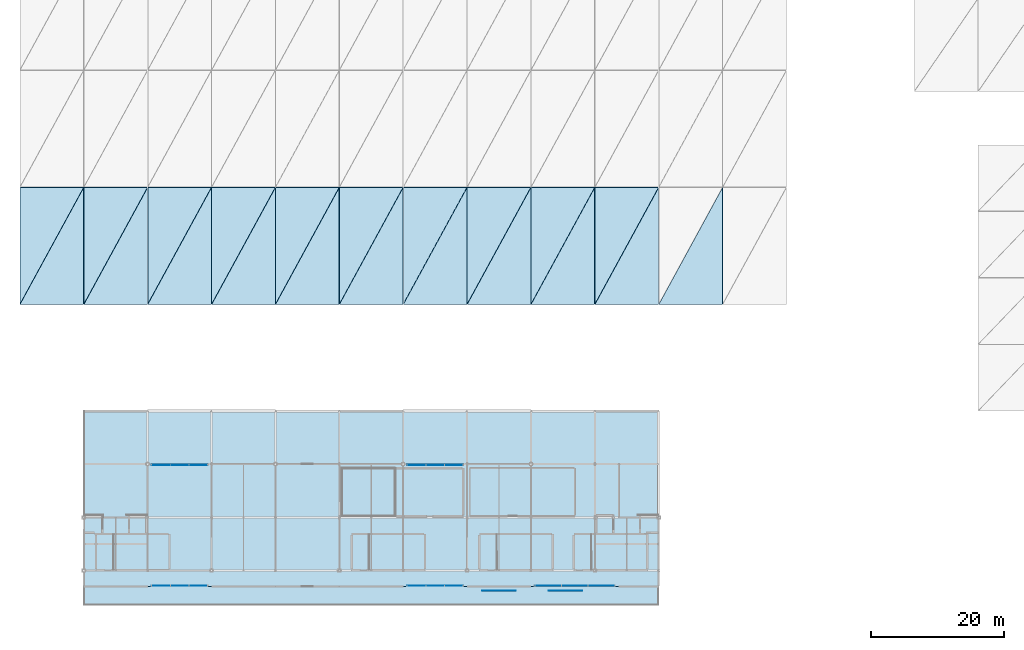
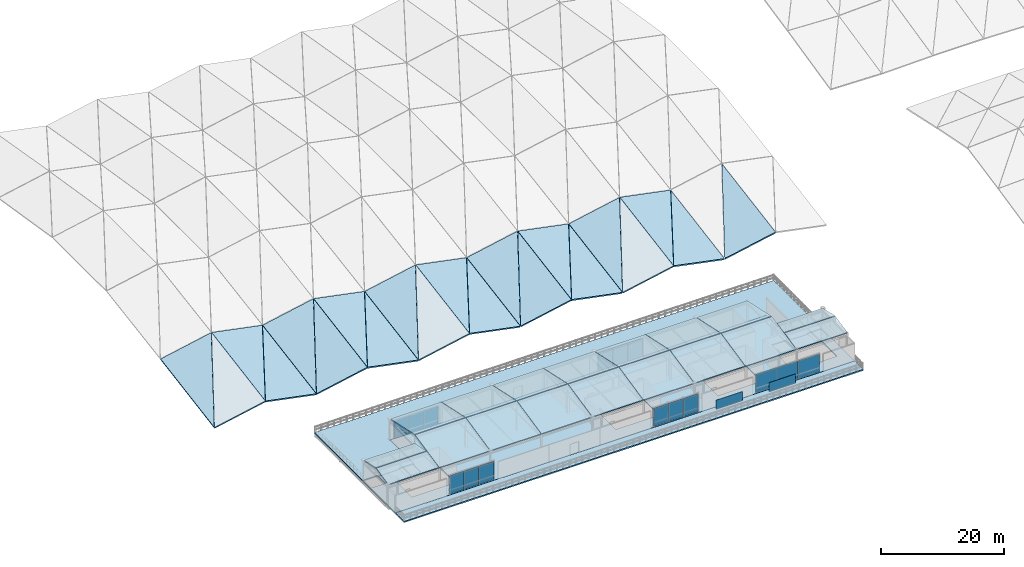
# One storey, part 15 of 26: 42 slabs, 17 plates, 5 elements without a shape of their own.
"""IFC4 building model written with IfcOpenShell, lengths in metres."""

from ifc_helpers import new_model, si_unit, direction, frame, origin, origin_2d, place, context, subcontext, project, spatial, polyline, rectangle, outline, extrude, material, layer, layer_set, type_object, element, aggregate, save


model = new_model("IFC4")

# Units and contexts
model_context = context("Model", 3, precision=1e-05, world=origin(), true_north=direction((0.0, 1.0)))
body_context = subcontext(model_context, "Body", "Model", "MODEL_VIEW")
ifc_project = project(units=[si_unit("LENGTHUNIT", "METRE"), si_unit("AREAUNIT", "SQUARE_METRE"), si_unit("VOLUMEUNIT", "CUBIC_METRE"), si_unit("PLANEANGLEUNIT", "RADIAN"), si_unit("MASSUNIT", "GRAM", prefix="KILO")], contexts=[model_context])

# Site, building, storey
site_placement = place(None, origin())
site = spatial("IfcSite", under=ifc_project, at=site_placement, CompositionType="ELEMENT")
building_placement = place(site_placement, origin())
building = spatial("IfcBuilding", under=site, at=building_placement, Name="Danafjord Basin Convention Centre", CompositionType="ELEMENT")
storey_placement = place(building_placement, frame((0.0, 0.0, 29.39990234375)))
storey = spatial("IfcBuildingStorey", under=building, at=storey_placement, Name="RF", CompositionType="ELEMENT", Elevation=29.39990234375)

# Curtain wall, plates
ifc_material_1 = material(Name="Anodised aluminium and triple glazing", Category="aluminium")
curtain_wall_type = type_object("IfcCurtainWallType", Name="CW-CW-TERR", PredefinedType="NOTDEFINED", material=ifc_material_1)
curtain_wall_1_placement = place(storey_placement, origin())
curtain_wall_1 = element("IfcCurtainWall", 1, at=curtain_wall_1_placement, inside=storey, type_object=curtain_wall_type, Name="RF CW-TERR unitised curtain wall bay 110", PredefinedType="NOTDEFINED")
ifc_material_2 = material(Name="Triple low-E insulated glazing", Category="glass")
ifc_layer_1 = layer(ifc_material_2, 0.0380859375)
ifc_layer_set_1 = layer_set([ifc_layer_1], Name="Triple low-E insulated glazing")
plate_type_1 = type_object("IfcPlateType", Name="PLT-GP-38", PredefinedType="CURTAIN_PANEL", material=ifc_layer_set_1)
plate_1_placement = place(storey_placement, frame((26.800048828125, 31.8798828125, 0.087890625), z_axis=(0.0, 0.0, 1.0), x_axis=(-1.0, 0.0, 0.0)))
plate_1 = element("IfcPlate", 2, at=plate_1_placement, type_object=plate_type_1, Name="CW-RF-110 vision glazing unit 1", PredefinedType="CURTAIN_PANEL", context=body_context, shape_type="SweptSolid", body=[
    extrude(rectangle(XDim=2.743896484375, YDim=0.0380859375, at=origin_2d()), origin(), (0.0, 0.0, 1.0), 3.573974609375),
])
plate_2_placement = place(storey_placement, frame((24.0, 31.8798828125, 0.087890625), z_axis=(0.0, 0.0, 1.0), x_axis=(-1.0, 0.0, 0.0)))
plate_2 = element("IfcPlate", 3, at=plate_2_placement, type_object=plate_type_1, Name="CW-RF-110 vision glazing unit 2", PredefinedType="CURTAIN_PANEL", context=body_context, shape_type="SweptSolid", body=[
    extrude(rectangle(XDim=2.743896484375, YDim=0.0380859375, at=origin_2d()), origin(), (0.0, 0.0, 1.0), 3.573974609375),
])
plate_3_placement = place(storey_placement, frame((21.199951171875, 31.8798828125, 0.087890625), z_axis=(0.0, 0.0, 1.0), x_axis=(-1.0, 0.0, 0.0)))
plate_3 = element("IfcPlate", 4, at=plate_3_placement, type_object=plate_type_1, Name="CW-RF-110 vision glazing unit 3", PredefinedType="CURTAIN_PANEL", context=body_context, shape_type="SweptSolid", body=[
    extrude(rectangle(XDim=2.743896484375, YDim=0.0380859375, at=origin_2d()), origin(), (0.0, 0.0, 1.0), 3.573974609375),
])
aggregate(curtain_wall_1, [plate_1, plate_2, plate_3])

curtain_wall_2_placement = place(storey_placement, origin())
curtain_wall_2 = element("IfcCurtainWall", 5, at=curtain_wall_2_placement, inside=storey, type_object=curtain_wall_type, Name="RF CW-TERR unitised curtain wall bay 112", PredefinedType="NOTDEFINED")
plate_4_placement = place(storey_placement, frame((65.199951171875, 31.8798828125, 0.087890625), z_axis=(0.0, 0.0, 1.0), x_axis=(-1.0, 0.0, 0.0)))
plate_4 = element("IfcPlate", 6, at=plate_4_placement, type_object=plate_type_1, Name="CW-RF-112 vision glazing unit 1", PredefinedType="CURTAIN_PANEL", context=body_context, shape_type="SweptSolid", body=[
    extrude(rectangle(XDim=2.743896484375, YDim=0.0380859375, at=origin_2d()), origin(), (0.0, 0.0, 1.0), 3.573974609375),
])
plate_5_placement = place(storey_placement, frame((62.39990234375, 31.8798828125, 0.087890625), z_axis=(0.0, 0.0, 1.0), x_axis=(-1.0, 0.0, 0.0)))
plate_5 = element("IfcPlate", 7, at=plate_5_placement, type_object=plate_type_1, Name="CW-RF-112 vision glazing unit 2", PredefinedType="CURTAIN_PANEL", context=body_context, shape_type="SweptSolid", body=[
    extrude(rectangle(XDim=2.743896484375, YDim=0.0380859375, at=origin_2d()), origin(), (0.0, 0.0, 1.0), 3.573974609375),
])
plate_6_placement = place(storey_placement, frame((59.60009765625, 31.8798828125, 0.087890625), z_axis=(0.0, 0.0, 1.0), x_axis=(-1.0, 0.0, 0.0)))
plate_6 = element("IfcPlate", 8, at=plate_6_placement, type_object=plate_type_1, Name="CW-RF-112 vision glazing unit 3", PredefinedType="CURTAIN_PANEL", context=body_context, shape_type="SweptSolid", body=[
    extrude(rectangle(XDim=2.743896484375, YDim=0.0380859375, at=origin_2d()), origin(), (0.0, 0.0, 1.0), 3.573974609375),
])
aggregate(curtain_wall_2, [plate_4, plate_5, plate_6])

curtain_wall_3_placement = place(storey_placement, origin())
curtain_wall_3 = element("IfcCurtainWall", 9, at=curtain_wall_3_placement, inside=storey, type_object=curtain_wall_type, Name="RF CW-TERR unitised curtain wall bay 109", PredefinedType="NOTDEFINED")
ifc_layer_2 = layer(ifc_material_2, 0.048095703125)
ifc_layer_set_2 = layer_set([ifc_layer_2], Name="Triple low-E insulated glazing")
plate_type_2 = type_object("IfcPlateType", Name="PLT-GP-48", PredefinedType="CURTAIN_PANEL", material=ifc_layer_set_2)
plate_7_placement = place(storey_placement, frame((21.199951171875, 13.719970703125, 0.087890625), z_axis=(0.0, 0.0, 1.0), x_axis=(1.0, 0.0, 0.0)))
plate_7 = element("IfcPlate", 10, at=plate_7_placement, type_object=plate_type_2, Name="CW-RF-109 vision glazing unit 1", PredefinedType="CURTAIN_PANEL", context=body_context, shape_type="SweptSolid", body=[
    extrude(rectangle(XDim=2.743896484375, YDim=0.048095703125, at=origin_2d()), origin(), (0.0, 0.0, 1.0), 3.573974609375),
])
plate_8_placement = place(storey_placement, frame((24.0, 13.719970703125, 0.087890625), z_axis=(0.0, 0.0, 1.0), x_axis=(1.0, 0.0, 0.0)))
plate_8 = element("IfcPlate", 11, at=plate_8_placement, type_object=plate_type_2, Name="CW-RF-109 vision glazing unit 2", PredefinedType="CURTAIN_PANEL", context=body_context, shape_type="SweptSolid", body=[
    extrude(rectangle(XDim=2.743896484375, YDim=0.048095703125, at=origin_2d()), origin(), (0.0, 0.0, 1.0), 3.573974609375),
])
plate_9_placement = place(storey_placement, frame((26.800048828125, 13.719970703125, 0.087890625), z_axis=(0.0, 0.0, 1.0), x_axis=(1.0, 0.0, 0.0)))
plate_9 = element("IfcPlate", 12, at=plate_9_placement, type_object=plate_type_2, Name="CW-RF-109 vision glazing unit 3", PredefinedType="CURTAIN_PANEL", context=body_context, shape_type="SweptSolid", body=[
    extrude(rectangle(XDim=2.743896484375, YDim=0.048095703125, at=origin_2d()), origin(), (0.0, 0.0, 1.0), 3.573974609375),
])
aggregate(curtain_wall_3, [plate_7, plate_8, plate_9])

curtain_wall_4_placement = place(storey_placement, origin())
curtain_wall_4 = element("IfcCurtainWall", 13, at=curtain_wall_4_placement, inside=storey, type_object=curtain_wall_type, Name="RF CW-TERR unitised curtain wall bay 111", PredefinedType="NOTDEFINED")
plate_10_placement = place(storey_placement, frame((59.60009765625, 13.719970703125, 0.087890625), z_axis=(0.0, 0.0, 1.0), x_axis=(1.0, 0.0, 0.0)))
plate_10 = element("IfcPlate", 14, at=plate_10_placement, type_object=plate_type_2, Name="CW-RF-111 vision glazing unit 1", PredefinedType="CURTAIN_PANEL", context=body_context, shape_type="SweptSolid", body=[
    extrude(rectangle(XDim=2.743896484375, YDim=0.048095703125, at=origin_2d()), origin(), (0.0, 0.0, 1.0), 3.573974609375),
])
plate_11_placement = place(storey_placement, frame((62.39990234375, 13.719970703125, 0.087890625), z_axis=(0.0, 0.0, 1.0), x_axis=(1.0, 0.0, 0.0)))
plate_11 = element("IfcPlate", 15, at=plate_11_placement, type_object=plate_type_2, Name="CW-RF-111 vision glazing unit 2", PredefinedType="CURTAIN_PANEL", context=body_context, shape_type="SweptSolid", body=[
    extrude(rectangle(XDim=2.743896484375, YDim=0.048095703125, at=origin_2d()), origin(), (0.0, 0.0, 1.0), 3.573974609375),
])
plate_12_placement = place(storey_placement, frame((65.199951171875, 13.719970703125, 0.087890625), z_axis=(0.0, 0.0, 1.0), x_axis=(1.0, 0.0, 0.0)))
plate_12 = element("IfcPlate", 16, at=plate_12_placement, type_object=plate_type_2, Name="CW-RF-111 vision glazing unit 3", PredefinedType="CURTAIN_PANEL", context=body_context, shape_type="SweptSolid", body=[
    extrude(rectangle(XDim=2.743896484375, YDim=0.048095703125, at=origin_2d()), origin(), (0.0, 0.0, 1.0), 3.573974609375),
])
aggregate(curtain_wall_4, [plate_10, plate_11, plate_12])

curtain_wall_5_placement = place(storey_placement, origin())
curtain_wall_5 = element("IfcCurtainWall", 17, at=curtain_wall_5_placement, inside=storey, type_object=curtain_wall_type, Name="RF CW-TERR unitised curtain wall bay 113", PredefinedType="NOTDEFINED")
plate_13_placement = place(storey_placement, frame((79.39990234375, 13.719970703125, 0.087890625), z_axis=(0.0, 0.0, 1.0), x_axis=(1.0, 0.0, 0.0)))
plate_13 = element("IfcPlate", 18, at=plate_13_placement, type_object=plate_type_2, Name="CW-RF-113 vision glazing unit 1", PredefinedType="CURTAIN_PANEL", context=body_context, shape_type="SweptSolid", body=[
    extrude(rectangle(XDim=3.944091796875, YDim=0.048095703125, at=origin_2d()), origin(), (0.0, 0.0, 1.0), 3.573974609375),
])
plate_14_placement = place(storey_placement, frame((83.39990234375, 13.719970703125, 0.087890625), z_axis=(0.0, 0.0, 1.0), x_axis=(1.0, 0.0, 0.0)))
plate_14 = element("IfcPlate", 19, at=plate_14_placement, type_object=plate_type_2, Name="CW-RF-113 vision glazing unit 2", PredefinedType="CURTAIN_PANEL", context=body_context, shape_type="SweptSolid", body=[
    extrude(rectangle(XDim=3.944091796875, YDim=0.048095703125, at=origin_2d()), origin(), (0.0, 0.0, 1.0), 3.573974609375),
])
plate_15_placement = place(storey_placement, frame((87.39990234375, 13.719970703125, 0.087890625), z_axis=(0.0, 0.0, 1.0), x_axis=(1.0, 0.0, 0.0)))
plate_15 = element("IfcPlate", 20, at=plate_15_placement, type_object=plate_type_2, Name="CW-RF-113 vision glazing unit 3", PredefinedType="CURTAIN_PANEL", context=body_context, shape_type="SweptSolid", body=[
    extrude(rectangle(XDim=3.944091796875, YDim=0.048095703125, at=origin_2d()), origin(), (0.0, 0.0, 1.0), 3.573974609375),
])
aggregate(curtain_wall_5, [plate_13, plate_14, plate_15])

# Plates
ifc_material_3 = material(Name="Perforated marine-grade aluminium", Category="aluminium")
ifc_layer_3 = layer(ifc_material_3, 0.014892578125)
ifc_layer_set_3 = layer_set([ifc_layer_3], Name="Perforated marine-grade aluminium")
plate_type_3 = type_object("IfcPlateType", Name="PLT-SCR-15", PredefinedType="USERDEFINED", material=ifc_layer_set_3)
for number, where, z_axis, x_axis, name in (
    (21, (72.0, 13.0, 0.0), (0.0, 0.0, 1.0), (1.0, 0.0, 0.0), "RF acoustic rooftop plant screen 7"),
    (22, (82.0, 13.0, 0.0), (0.0, 0.0, 1.0), (1.0, 0.0, 0.0), "RF acoustic rooftop plant screen 8"),
):
    element("IfcPlate", number, at=place(storey_placement, frame(where, z_axis=z_axis, x_axis=x_axis)), inside=storey, type_object=plate_type_3, Name=name, ObjectType="SCREEN", PredefinedType="USERDEFINED", context=body_context, shape_type="SweptSolid", body=[
        extrude(rectangle(XDim=5.0, YDim=0.014892578125, at=origin_2d()), origin(), (0.0, 0.0, 1.0), 1.800048828125),
    ])

# Slabs
ifc_material_4 = material(Name="Concrete C35/45", Category="concrete")
ifc_layer_4 = layer(ifc_material_4, 0.22998046875)
ifc_layer_set_4 = layer_set([ifc_layer_4], Name="Concrete C35/45")
slab_type_1 = type_object("IfcSlabType", Name="SLAB-FS-230", PredefinedType="FLOOR", material=ifc_layer_set_4)
slab_1_placement = place(storey_placement, frame((0.0, 0.0, -0.22998046875)))
element("IfcSlab", 23, at=slab_1_placement, inside=storey, type_object=slab_type_1, Name="RF FS-230 slab SL-RF-OBS", PredefinedType="FLOOR", context=body_context, shape_type="SweptSolid", body=[
    extrude(outline(polyline([(9.800048828125, 24.0), (9.800048828125, 21.699951171875), (12.39990234375, 21.699951171875), (12.39990234375, 24.0), (16.39990234375, 24.0), (16.39990234375, 21.699951171875), (19.0, 21.699951171875), (19.0, 24.0), (19.199951171875, 24.0), (19.199951171875, 32.0), (90.0, 32.0), (90.0, 24.0), (93.199951171875, 24.0), (93.199951171875, 21.699951171875), (95.800048828125, 21.699951171875), (95.800048828125, 24.0), (96.0, 24.0), (96.0, 13.60009765625), (9.60009765625, 13.60009765625), (9.60009765625, 24.0), (9.800048828125, 24.0)]), holes=[polyline([(85.929931640625, 16.2099609375), (94.1298828125, 16.2099609375), (94.1298828125, 21.35009765625), (85.929931640625, 21.35009765625), (85.929931640625, 16.2099609375)]), polyline([(86.60009765625, 21.699951171875), (89.199951171875, 21.699951171875), (89.199951171875, 24.300048828125), (86.60009765625, 24.300048828125), (86.60009765625, 21.699951171875)]), polyline([(79.929931640625, 16.2099609375), (79.929931640625, 21.35009765625), (71.72998046875, 21.35009765625), (71.72998046875, 16.2099609375), (79.929931640625, 16.2099609375)]), polyline([(60.72998046875, 16.2099609375), (60.72998046875, 21.35009765625), (52.530029296875, 21.35009765625), (52.530029296875, 16.2099609375), (60.72998046875, 16.2099609375)]), polyline([(22.330078125, 16.2099609375), (22.330078125, 21.35009765625), (14.1298828125, 21.35009765625), (14.1298828125, 16.2099609375), (22.330078125, 16.2099609375)])]), origin(), (0.0, 0.0, 1.0), 0.22998046875),
])
ifc_layer_5 = layer(ifc_material_4, 0.2451171875)
ifc_layer_set_5 = layer_set([ifc_layer_5], Name="Concrete C35/45")
slab_type_2 = type_object("IfcSlabType", Name="SLAB-RF-240", PredefinedType="ROOF", material=ifc_layer_set_5)
for number, where, z_axis, x_axis, name in (
    (24, (9.6201171875, 16.0, 4.2001953125), (0.0, -0.211315590501, 0.977417884639), (1.0, 0.0, 0.0), "Observatory pitched south roof slab 1"),
    (25, (9.6201171875, 20.06005859375, 5.052001953125), (0.0, 0.211315590501, 0.977417884639), (1.0, 0.0, 0.0), "Observatory pitched north roof slab 1"),
):
    element("IfcSlab", number, at=place(storey_placement, frame(where, z_axis=z_axis, x_axis=x_axis)), inside=storey, type_object=slab_type_2, Name=name, PredefinedType="ROOF", context=body_context, shape_type="SweptSolid", body=[
        extrude(outline(polyline([(0.0, 0.0), (9.559814453125, 0.0), (9.559814453125, 4.030969218152884), (0.0, 4.030969218152884), (0.0, 0.0)])), origin(), (0.0, 0.0, -1.0), 0.2451171875),
    ])
for number, where, z_axis, x_axis, name in (
    (26, (19.219970703125, 16.0, 4.2001953125), (0.0, -0.211310288608, 0.977419030881), (1.0, 0.0, 0.0), "Observatory pitched south roof slab 2"),
    (27, (19.219970703125, 24.06005859375, 5.916748046875), (0.0, 0.211310288608, 0.977419030881), (1.0, 0.0, 0.0), "Observatory pitched north roof slab 2"),
):
    element("IfcSlab", number, at=place(storey_placement, frame(where, z_axis=z_axis, x_axis=x_axis)), inside=storey, type_object=slab_type_2, Name=name, PredefinedType="ROOF", context=body_context, shape_type="SweptSolid", body=[
        extrude(outline(polyline([(0.0, 0.0), (9.56005859375, 0.0), (9.56005859375, 8.123375088260637), (0.0, 8.123375088260637), (0.0, 0.0)])), origin(), (0.0, 0.0, -1.0), 0.2451171875),
    ])
for number, where, z_axis, x_axis, name in (
    (28, (28.820068359375, 16.0, 4.2001953125), (0.0, -0.211310288608, 0.977419030881), (1.0, 0.0, 0.0), "Observatory pitched south roof slab 3"),
    (29, (28.820068359375, 24.06005859375, 5.916748046875), (0.0, 0.211310288608, 0.977419030881), (1.0, 0.0, 0.0), "Observatory pitched north roof slab 3"),
):
    element("IfcSlab", number, at=place(storey_placement, frame(where, z_axis=z_axis, x_axis=x_axis)), inside=storey, type_object=slab_type_2, Name=name, PredefinedType="ROOF", context=body_context, shape_type="SweptSolid", body=[
        extrude(outline(polyline([(0.0, 0.0), (9.559814453125, 0.0), (9.559814453125, 8.123375088260637), (0.0, 8.123375088260637), (0.0, 0.0)])), origin(), (0.0, 0.0, -1.0), 0.2451171875),
    ])
for number, where, z_axis, x_axis, name in (
    (30, (38.419921875, 16.0, 4.2001953125), (0.0, -0.211310288608, 0.977419030881), (1.0, 0.0, 0.0), "Observatory pitched south roof slab 4"),
    (31, (38.419921875, 24.06005859375, 5.916748046875), (0.0, 0.211310288608, 0.977419030881), (1.0, 0.0, 0.0), "Observatory pitched north roof slab 4"),
    (32, (48.02001953125, 16.0, 4.2001953125), (0.0, -0.211310288608, 0.977419030881), (1.0, 0.0, 0.0), "Observatory pitched south roof slab 5"),
    (33, (48.02001953125, 24.06005859375, 5.916748046875), (0.0, 0.211310288608, 0.977419030881), (1.0, 0.0, 0.0), "Observatory pitched north roof slab 5"),
):
    element("IfcSlab", number, at=place(storey_placement, frame(where, z_axis=z_axis, x_axis=x_axis)), inside=storey, type_object=slab_type_2, Name=name, PredefinedType="ROOF", context=body_context, shape_type="SweptSolid", body=[
        extrude(outline(polyline([(0.0, 0.0), (9.56005859375, 0.0), (9.56005859375, 8.123375088260637), (0.0, 8.123375088260637), (0.0, 0.0)])), origin(), (0.0, 0.0, -1.0), 0.2451171875),
    ])
for number, where, z_axis, x_axis, name in (
    (34, (57.6201171875, 16.0, 4.2001953125), (0.0, -0.211310288608, 0.977419030881), (1.0, 0.0, 0.0), "Observatory pitched south roof slab 6"),
    (35, (57.6201171875, 24.06005859375, 5.916748046875), (0.0, 0.211310288608, 0.977419030881), (1.0, 0.0, 0.0), "Observatory pitched north roof slab 6"),
):
    element("IfcSlab", number, at=place(storey_placement, frame(where, z_axis=z_axis, x_axis=x_axis)), inside=storey, type_object=slab_type_2, Name=name, PredefinedType="ROOF", context=body_context, shape_type="SweptSolid", body=[
        extrude(outline(polyline([(0.0, 0.0), (9.559814453125, 0.0), (9.559814453125, 8.123375088260637), (0.0, 8.123375088260637), (0.0, 0.0)])), origin(), (0.0, 0.0, -1.0), 0.2451171875),
    ])
for number, where, z_axis, x_axis, name in (
    (36, (67.219970703125, 16.0, 4.2001953125), (0.0, -0.211310288608, 0.977419030881), (1.0, 0.0, 0.0), "Observatory pitched south roof slab 7"),
    (37, (67.219970703125, 24.06005859375, 5.916748046875), (0.0, 0.211310288608, 0.977419030881), (1.0, 0.0, 0.0), "Observatory pitched north roof slab 7"),
):
    element("IfcSlab", number, at=place(storey_placement, frame(where, z_axis=z_axis, x_axis=x_axis)), inside=storey, type_object=slab_type_2, Name=name, PredefinedType="ROOF", context=body_context, shape_type="SweptSolid", body=[
        extrude(outline(polyline([(0.0, 0.0), (9.56005859375, 0.0), (9.56005859375, 8.123375088260637), (0.0, 8.123375088260637), (0.0, 0.0)])), origin(), (0.0, 0.0, -1.0), 0.2451171875),
    ])
for number, where, z_axis, x_axis, name in (
    (38, (76.820068359375, 16.0, 4.2001953125), (0.0, -0.211310288608, 0.977419030881), (1.0, 0.0, 0.0), "Observatory pitched south roof slab 8"),
    (39, (76.820068359375, 24.06005859375, 5.916748046875), (0.0, 0.211310288608, 0.977419030881), (1.0, 0.0, 0.0), "Observatory pitched north roof slab 8"),
):
    element("IfcSlab", number, at=place(storey_placement, frame(where, z_axis=z_axis, x_axis=x_axis)), inside=storey, type_object=slab_type_2, Name=name, PredefinedType="ROOF", context=body_context, shape_type="SweptSolid", body=[
        extrude(outline(polyline([(0.0, 0.0), (9.559814453125, 0.0), (9.559814453125, 8.123375088260637), (0.0, 8.123375088260637), (0.0, 0.0)])), origin(), (0.0, 0.0, -1.0), 0.2451171875),
    ])
for number, where, z_axis, x_axis, name in (
    (40, (86.419921875, 16.0, 4.2001953125), (0.0, -0.211315590501, 0.977417884639), (1.0, 0.0, 0.0), "Observatory pitched south roof slab 9"),
    (41, (86.419921875, 20.06005859375, 5.052001953125), (0.0, 0.211315590501, 0.977417884639), (1.0, 0.0, 0.0), "Observatory pitched north roof slab 9"),
):
    element("IfcSlab", number, at=place(storey_placement, frame(where, z_axis=z_axis, x_axis=x_axis)), inside=storey, type_object=slab_type_2, Name=name, PredefinedType="ROOF", context=body_context, shape_type="SweptSolid", body=[
        extrude(outline(polyline([(0.0, 0.0), (9.56005859375, 0.0), (9.56005859375, 4.030969218152885), (0.0, 4.030969218152885), (0.0, 0.0)])), origin(), (0.0, 0.0, -1.0), 0.2451171875),
    ])
ifc_layer_6 = layer(ifc_material_4, 0.2880859375)
ifc_layer_set_6 = layer_set([ifc_layer_6], Name="Concrete C35/45")
slab_type_3 = type_object("IfcSlabType", Name="SLAB-RF-W130", PredefinedType="ROOF", material=ifc_layer_set_6)
slab_2_placement = place(storey_placement, frame((28.83203125, 56.029296875, -3.481201171875), z_axis=(0.193412311273, -0.165479980801, 0.967061556367), x_axis=(0.980580675691, 0.0, -0.196116135138)))
element("IfcSlab", 42, at=slab_2_placement, inside=storey, type_object=slab_type_3, Name="V1 wave-crested roof deck facet A-R 2-1", PredefinedType="ROOF", context=body_context, shape_type="SweptSolid", body=[
    extrude(outline(polyline([(0.0, 0.0), (9.741168870572155, -5.551115123125783e-17), (9.153490783978876, 17.756772866125637), (0.0, 0.0)])), origin(), (0.0, 0.0, -1.0), 0.2880859375),
])
slab_3_placement = place(storey_placement, frame((28.81591796875, 56.05859375, -3.47314453125), z_axis=(0.193411953597, -0.165490849742, 0.967059767986), x_axis=(0.478139230218, 0.876598772742, 0.054382608932)))
element("IfcSlab", 43, at=slab_3_placement, inside=storey, type_object=slab_type_3, Name="V1 wave-crested roof deck facet B-R 2-1", PredefinedType="ROOF", context=body_context, shape_type="SweptSolid", body=[
    extrude(outline(polyline([(0.0, 0.0), (19.97744872089603, 6.661338147750939e-16), (15.514154417336957, 8.658485717769656), (0.0, 0.0)])), origin(), (0.0, 0.0, -1.0), 0.2880859375),
])
slab_4_placement = place(storey_placement, frame((38.431884765625, 56.029296875, -5.388427734375), z_axis=(-0.193411879749, -0.165493093722, 0.967059398746), x_axis=(0.980580675691, 0.0, 0.196116135138)))
element("IfcSlab", 44, at=slab_4_placement, inside=storey, type_object=slab_type_3, Name="V1 wave-crested roof deck facet A-L 3-1", PredefinedType="ROOF", context=body_context, shape_type="SweptSolid", body=[
    extrude(outline(polyline([(0.0, 0.0), (9.741168870572155, 0.0), (10.328894837081238, 17.756812483532993), (0.0, 0.0)])), origin(), (0.0, 0.0, -1.0), 0.2880859375),
])
slab_5_placement = place(storey_placement, frame((38.416015625, 56.05859375, -5.38671875), z_axis=(-0.193411953597, -0.165490849742, 0.967059767986), x_axis=(0.464984725804, 0.852481901135, 0.238880331978)))
element("IfcSlab", 45, at=slab_5_placement, inside=storey, type_object=slab_type_3, Name="V1 wave-crested roof deck facet B-L 3-1", PredefinedType="ROOF", context=body_context, shape_type="SweptSolid", body=[
    extrude(outline(polyline([(0.0, 0.0), (20.542614462467316, 6.661338147750939e-16), (15.644722373891142, 8.420274583032723), (0.0, 0.0)])), origin(), (0.0, 0.0, -1.0), 0.2880859375),
])
slab_6_placement = place(storey_placement, frame((86.431884765625, 56.029296875, -3.481201171875), z_axis=(0.193412311273, -0.165479980801, 0.967061556367), x_axis=(0.980580675691, 0.0, -0.196116135138)))
element("IfcSlab", 46, at=slab_6_placement, inside=storey, type_object=slab_type_3, Name="V1 wave-crested roof deck facet A-R 5-1", PredefinedType="ROOF", context=body_context, shape_type="SweptSolid", body=[
    extrude(outline(polyline([(0.0, 0.0), (9.741168870572155, -5.551115123125783e-17), (9.153490783978876, 17.756772866125637), (0.0, 0.0)])), origin(), (0.0, 0.0, -1.0), 0.2880859375),
])
slab_7_placement = place(storey_placement, frame((86.416015625, 56.05859375, -3.47314453125), z_axis=(0.193411953597, -0.165490849742, 0.967059767986), x_axis=(0.478139230218, 0.876598772742, 0.054382608932)))
element("IfcSlab", 47, at=slab_7_placement, inside=storey, type_object=slab_type_3, Name="V1 wave-crested roof deck facet B-R 5-1", PredefinedType="ROOF", context=body_context, shape_type="SweptSolid", body=[
    extrude(outline(polyline([(0.0, 0.0), (19.97744872089603, 6.661338147750939e-16), (15.514154417336957, 8.658485717769656), (0.0, 0.0)])), origin(), (0.0, 0.0, -1.0), 0.2880859375),
])
slab_8_placement = place(storey_placement, frame((96.031982421875, 56.029296875, -5.388427734375), z_axis=(-0.193411879749, -0.165493093722, 0.967059398746), x_axis=(0.980580675691, 0.0, 0.196116135138)))
element("IfcSlab", 48, at=slab_8_placement, inside=storey, type_object=slab_type_3, Name="V1 wave-crested roof deck facet A-L 6-1", PredefinedType="ROOF", context=body_context, shape_type="SweptSolid", body=[
    extrude(outline(polyline([(0.0, 0.0), (9.741168870572155, 0.0), (10.328894837081238, 17.756812483532993), (0.0, 0.0)])), origin(), (0.0, 0.0, -1.0), 0.2880859375),
])
ifc_layer_7 = layer(ifc_material_4, 0.27490234375)
ifc_layer_set_7 = layer_set([ifc_layer_7], Name="Concrete C35/45")
slab_type_4 = type_object("IfcSlabType", Name="SLAB-RF-W145", PredefinedType="ROOF", material=ifc_layer_set_7)
slab_9_placement = place(storey_placement, frame((9.632080078125, 56.029296875, -3.481201171875), z_axis=(0.193412311273, -0.165479980801, 0.967061556367), x_axis=(0.980580675691, 0.0, -0.196116135138)))
element("IfcSlab", 49, at=slab_9_placement, inside=storey, type_object=slab_type_4, Name="V1 wave-crested roof deck facet A-R 1-1", PredefinedType="ROOF", context=body_context, shape_type="SweptSolid", body=[
    extrude(outline(polyline([(0.0, 0.0), (9.741168870572155, -5.551115123125783e-17), (9.153490783978876, 17.756772866125637), (0.0, 0.0)])), origin(), (0.0, 0.0, -1.0), 0.27490234375),
])
slab_10_placement = place(storey_placement, frame((9.615966796875, 56.05859375, -3.47314453125), z_axis=(0.193411953597, -0.165490849742, 0.967059767986), x_axis=(0.478139230218, 0.876598772742, 0.054382608932)))
element("IfcSlab", 50, at=slab_10_placement, inside=storey, type_object=slab_type_4, Name="V1 wave-crested roof deck facet B-R 1-1", PredefinedType="ROOF", context=body_context, shape_type="SweptSolid", body=[
    extrude(outline(polyline([(0.0, 0.0), (19.97744872089603, 6.661338147750939e-16), (15.514154417336957, 8.658485717769656), (0.0, 0.0)])), origin(), (0.0, 0.0, -1.0), 0.27490234375),
])
slab_11_placement = place(storey_placement, frame((19.23193359375, 56.029296875, -5.388427734375), z_axis=(-0.193411879749, -0.165493093722, 0.967059398746), x_axis=(0.980580675691, 0.0, 0.196116135138)))
element("IfcSlab", 51, at=slab_11_placement, inside=storey, type_object=slab_type_4, Name="V1 wave-crested roof deck facet A-L 2-1", PredefinedType="ROOF", context=body_context, shape_type="SweptSolid", body=[
    extrude(outline(polyline([(0.0, 0.0), (9.741168870572155, 0.0), (10.328894837081238, 17.756812483532993), (0.0, 0.0)])), origin(), (0.0, 0.0, -1.0), 0.27490234375),
])
slab_12_placement = place(storey_placement, frame((19.216064453125, 56.05859375, -5.38671875), z_axis=(-0.193411953597, -0.165490849742, 0.967059767986), x_axis=(0.464984725804, 0.852481901135, 0.238880331978)))
element("IfcSlab", 52, at=slab_12_placement, inside=storey, type_object=slab_type_4, Name="V1 wave-crested roof deck facet B-L 2-1", PredefinedType="ROOF", context=body_context, shape_type="SweptSolid", body=[
    extrude(outline(polyline([(0.0, 0.0), (20.542614462467316, 6.661338147750939e-16), (15.644722373891142, 8.420274583032723), (0.0, 0.0)])), origin(), (0.0, 0.0, -1.0), 0.27490234375),
])
slab_13_placement = place(storey_placement, frame((67.23193359375, 56.029296875, -3.481201171875), z_axis=(0.193412311273, -0.165479980801, 0.967061556367), x_axis=(0.980580675691, 0.0, -0.196116135138)))
element("IfcSlab", 53, at=slab_13_placement, inside=storey, type_object=slab_type_4, Name="V1 wave-crested roof deck facet A-R 4-1", PredefinedType="ROOF", context=body_context, shape_type="SweptSolid", body=[
    extrude(outline(polyline([(0.0, 0.0), (9.741168870572155, -5.551115123125783e-17), (9.153490783978876, 17.756772866125637), (0.0, 0.0)])), origin(), (0.0, 0.0, -1.0), 0.27490234375),
])
slab_14_placement = place(storey_placement, frame((67.216064453125, 56.05859375, -3.47314453125), z_axis=(0.193411953597, -0.165490849742, 0.967059767986), x_axis=(0.478139230218, 0.876598772742, 0.054382608932)))
element("IfcSlab", 54, at=slab_14_placement, inside=storey, type_object=slab_type_4, Name="V1 wave-crested roof deck facet B-R 4-1", PredefinedType="ROOF", context=body_context, shape_type="SweptSolid", body=[
    extrude(outline(polyline([(0.0, 0.0), (19.97744872089603, 6.661338147750939e-16), (15.514154417336957, 8.658485717769656), (0.0, 0.0)])), origin(), (0.0, 0.0, -1.0), 0.27490234375),
])
slab_15_placement = place(storey_placement, frame((76.83203125, 56.029296875, -5.388427734375), z_axis=(-0.193411879749, -0.165493093722, 0.967059398746), x_axis=(0.980580675691, 0.0, 0.196116135138)))
element("IfcSlab", 55, at=slab_15_placement, inside=storey, type_object=slab_type_4, Name="V1 wave-crested roof deck facet A-L 5-1", PredefinedType="ROOF", context=body_context, shape_type="SweptSolid", body=[
    extrude(outline(polyline([(0.0, 0.0), (9.741168870572155, 0.0), (10.328894837081238, 17.756812483532993), (0.0, 0.0)])), origin(), (0.0, 0.0, -1.0), 0.27490234375),
])
slab_16_placement = place(storey_placement, frame((76.81591796875, 56.05859375, -5.38671875), z_axis=(-0.193411953597, -0.165490849742, 0.967059767986), x_axis=(0.464984725804, 0.852481901135, 0.238880331978)))
element("IfcSlab", 56, at=slab_16_placement, inside=storey, type_object=slab_type_4, Name="V1 wave-crested roof deck facet B-L 5-1", PredefinedType="ROOF", context=body_context, shape_type="SweptSolid", body=[
    extrude(outline(polyline([(0.0, 0.0), (20.542614462467316, 6.661338147750939e-16), (15.644722373891142, 8.420274583032723), (0.0, 0.0)])), origin(), (0.0, 0.0, -1.0), 0.27490234375),
])
ifc_layer_8 = layer(ifc_material_4, 0.264892578125)
ifc_layer_set_8 = layer_set([ifc_layer_8], Name="Concrete C35/45")
slab_type_5 = type_object("IfcSlabType", Name="SLAB-RF-W160", PredefinedType="ROOF", material=ifc_layer_set_8)
slab_17_placement = place(storey_placement, frame((0.031982421875, 56.029296875, -5.388427734375), z_axis=(-0.193411879749, -0.165493093722, 0.967059398746), x_axis=(0.980580675691, 0.0, 0.196116135138)))
element("IfcSlab", 57, at=slab_17_placement, inside=storey, type_object=slab_type_5, Name="V1 wave-crested roof deck facet A-L 1-1", PredefinedType="ROOF", context=body_context, shape_type="SweptSolid", body=[
    extrude(outline(polyline([(0.0, 0.0), (9.741168870572155, 0.0), (10.328894837081238, 17.756812483532993), (0.0, 0.0)])), origin(), (0.0, 0.0, -1.0), 0.264892578125),
])
slab_18_placement = place(storey_placement, frame((0.01611328125, 56.05859375, -5.38671875), z_axis=(-0.193411953597, -0.165490849742, 0.967059767986), x_axis=(0.464984725804, 0.852481901135, 0.238880331978)))
element("IfcSlab", 58, at=slab_18_placement, inside=storey, type_object=slab_type_5, Name="V1 wave-crested roof deck facet B-L 1-1", PredefinedType="ROOF", context=body_context, shape_type="SweptSolid", body=[
    extrude(outline(polyline([(0.0, 0.0), (20.542614462467316, 6.661338147750939e-16), (15.644722373891142, 8.420274583032723), (0.0, 0.0)])), origin(), (0.0, 0.0, -1.0), 0.264892578125),
])
slab_19_placement = place(storey_placement, frame((48.031982421875, 56.029296875, -3.481201171875), z_axis=(0.193412311273, -0.165479980801, 0.967061556367), x_axis=(0.980580675691, 0.0, -0.196116135138)))
element("IfcSlab", 59, at=slab_19_placement, inside=storey, type_object=slab_type_5, Name="V1 wave-crested roof deck facet A-R 3-1", PredefinedType="ROOF", context=body_context, shape_type="SweptSolid", body=[
    extrude(outline(polyline([(0.0, 0.0), (9.741168870572155, -5.551115123125783e-17), (9.153490783978876, 17.756772866125637), (0.0, 0.0)])), origin(), (0.0, 0.0, -1.0), 0.264892578125),
])
slab_20_placement = place(storey_placement, frame((48.01611328125, 56.05859375, -3.47314453125), z_axis=(0.193411953597, -0.165490849742, 0.967059767986), x_axis=(0.478139230218, 0.876598772742, 0.054382608932)))
element("IfcSlab", 60, at=slab_20_placement, inside=storey, type_object=slab_type_5, Name="V1 wave-crested roof deck facet B-R 3-1", PredefinedType="ROOF", context=body_context, shape_type="SweptSolid", body=[
    extrude(outline(polyline([(0.0, 0.0), (19.97744872089603, 6.661338147750939e-16), (15.514154417336957, 8.658485717769656), (0.0, 0.0)])), origin(), (0.0, 0.0, -1.0), 0.264892578125),
])
slab_21_placement = place(storey_placement, frame((57.632080078125, 56.029296875, -5.388427734375), z_axis=(-0.193411879749, -0.165493093722, 0.967059398746), x_axis=(0.980580675691, 0.0, 0.196116135138)))
element("IfcSlab", 61, at=slab_21_placement, inside=storey, type_object=slab_type_5, Name="V1 wave-crested roof deck facet A-L 4-1", PredefinedType="ROOF", context=body_context, shape_type="SweptSolid", body=[
    extrude(outline(polyline([(0.0, 0.0), (9.741168870572155, 0.0), (10.328894837081238, 17.756812483532993), (0.0, 0.0)])), origin(), (0.0, 0.0, -1.0), 0.264892578125),
])
slab_22_placement = place(storey_placement, frame((57.615966796875, 56.05859375, -5.38671875), z_axis=(-0.193411953597, -0.165490849742, 0.967059767986), x_axis=(0.464984725804, 0.852481901135, 0.238880331978)))
element("IfcSlab", 62, at=slab_22_placement, inside=storey, type_object=slab_type_5, Name="V1 wave-crested roof deck facet B-L 4-1", PredefinedType="ROOF", context=body_context, shape_type="SweptSolid", body=[
    extrude(outline(polyline([(0.0, 0.0), (20.542614462467316, 6.661338147750939e-16), (15.644722373891142, 8.420274583032723), (0.0, 0.0)])), origin(), (0.0, 0.0, -1.0), 0.264892578125),
])
ifc_material_5 = material(Name="Precast concrete C40/50", Category="concrete")
ifc_layer_9 = layer(ifc_material_5, 0.239990234375)
ifc_layer_set_9 = layer_set([ifc_layer_9], Name="Precast concrete C40/50")
slab_type_6 = type_object("IfcSlabType", Name="SLAB-TR-235", PredefinedType="FLOOR", material=ifc_layer_set_9)
slab_23_placement = place(storey_placement, frame((0.0, 0.0, -0.239990234375)))
element("IfcSlab", 63, at=slab_23_placement, inside=storey, type_object=slab_type_6, Name="RF TR-235 slab SL-RF-TERS", PredefinedType="FLOOR", context=body_context, shape_type="SweptSolid", body=[
    extrude(outline(polyline([(9.60009765625, 10.800048828125), (9.60009765625, 13.60009765625), (96.0, 13.60009765625), (96.0, 10.800048828125), (9.60009765625, 10.800048828125)])), origin(), (0.0, 0.0, 1.0), 0.239990234375),
])
slab_24_placement = place(storey_placement, frame((0.0, 0.0, -0.239990234375)))
element("IfcSlab", 64, at=slab_24_placement, inside=storey, type_object=slab_type_6, Name="RF TR-235 slab SL-RF-TERN", PredefinedType="FLOOR", context=body_context, shape_type="SweptSolid", body=[
    extrude(outline(polyline([(9.60009765625, 40.0), (96.0, 40.0), (96.0, 24.0), (95.800048828125, 24.0), (95.800048828125, 24.300048828125), (93.199951171875, 24.300048828125), (93.199951171875, 24.0), (90.0, 24.0), (90.0, 32.0), (19.199951171875, 32.0), (19.199951171875, 24.0), (19.0, 24.0), (19.0, 24.300048828125), (16.39990234375, 24.300048828125), (16.39990234375, 24.0), (12.39990234375, 24.0), (12.39990234375, 24.300048828125), (9.800048828125, 24.300048828125), (9.800048828125, 24.0), (9.60009765625, 24.0), (9.60009765625, 40.0)])), origin(), (0.0, 0.0, 1.0), 0.239990234375),
])

save(model, "model.ifc")
